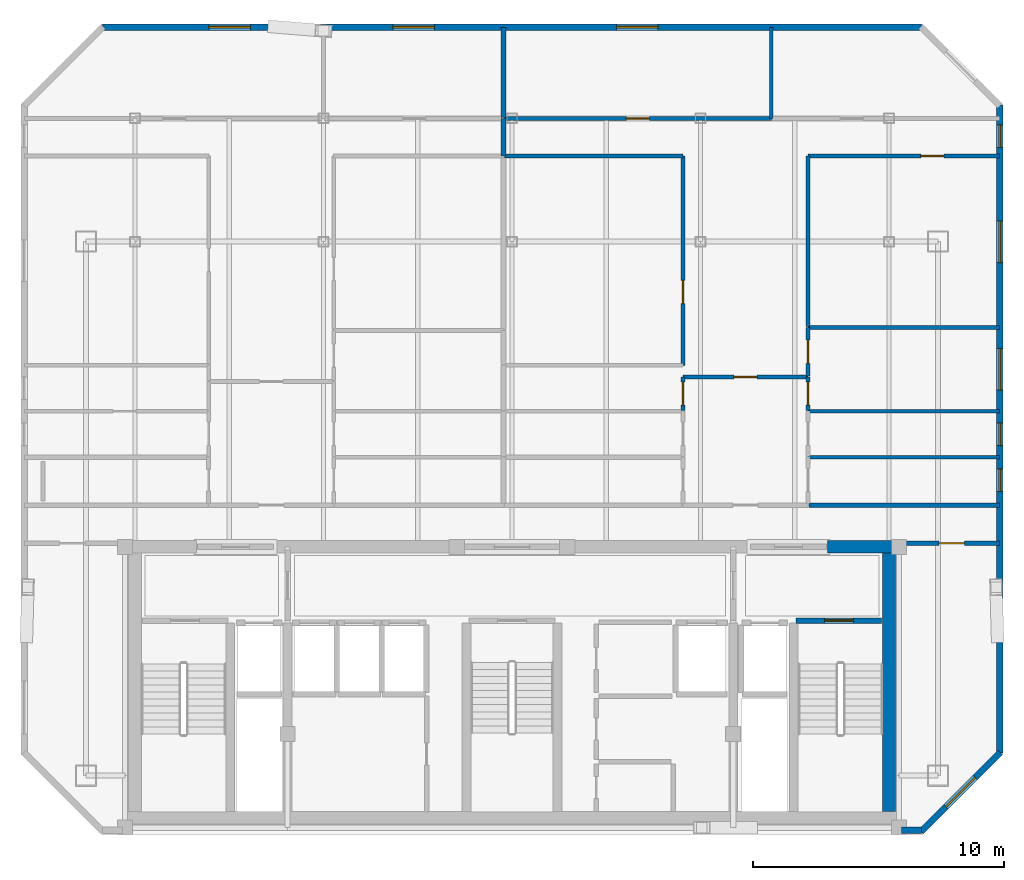
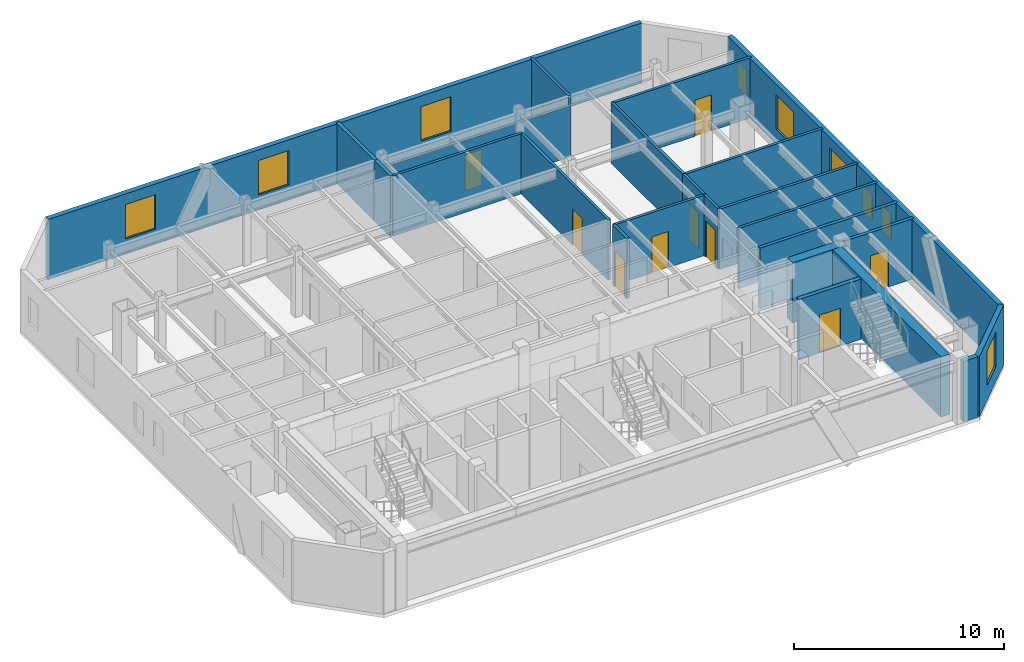
# One storey, part 5 of 7: 24 walls, 9 doors, 9 windows, 18 openings.
"""IFC4 building model written with IfcOpenShell, lengths in metres."""

from ifc_helpers import new_model, si_unit, direction, frame, frame_2d, origin, place, context, subcontext, project, spatial, rectangle, extrude, material, layer, layer_set, type_object, element, fill, save


model = new_model("IFC4")

# Units and contexts
model_context = context("Model", 3, precision=1e-05, world=origin(), true_north=direction((0.0, 1.0)))
body_context = subcontext(model_context, "Body", "Model", "MODEL_VIEW")
ifc_project = project(units=[si_unit("LENGTHUNIT", "METRE"), si_unit("AREAUNIT", "SQUARE_METRE"), si_unit("VOLUMEUNIT", "CUBIC_METRE"), si_unit("PLANEANGLEUNIT", "RADIAN"), si_unit("MASSUNIT", "GRAM", prefix="KILO")], contexts=[model_context])

# Site, building, storey
site_placement = place(None, origin())
site = spatial("IfcSite", under=ifc_project, at=site_placement, CompositionType="ELEMENT")
building_placement = place(site_placement, origin())
building = spatial("IfcBuilding", under=site, at=building_placement, Name="Ventersveld Concourse Tower", CompositionType="ELEMENT")
storey_placement = place(building_placement, frame((0.0, 0.0, 328.449951171875)))
storey = spatial("IfcBuildingStorey", under=building, at=storey_placement, Name="L81", CompositionType="ELEMENT", Elevation=328.449951171875)

# Walls
ifc_material_1 = material(Name="Concrete C50/60", Category="concrete")
ifc_layer_1 = layer(ifc_material_1, 0.5)
ifc_layer_set_1 = layer_set([ifc_layer_1], Name="Concrete C50/60")
wall_type_1 = type_object("IfcWallType", Name="WL-CORE-500", PredefinedType="SHEAR", material=ifc_layer_set_1)
wall_1_placement = place(storey_placement, frame((43.75, 0.919921875, 0.0), z_axis=(0.0, 0.0, 1.0), x_axis=(0.0, 1.0, 0.0)))
element("IfcWall", 1, at=wall_1_placement, inside=storey, type_object=wall_type_1, Name="L81 Rear Core East Shear Wall", PredefinedType="SHEAR", context=body_context, shape_type="SweptSolid", body=[
    extrude(rectangle(XDim=10.530029296875, YDim=0.5, at=frame_2d((5.26513671875, 0.0))), origin(), (0.0, 0.0, 1.0), 3.5),
])
wall_2_placement = place(storey_placement, frame((41.300048828125, 11.449951171875, 0.0), z_axis=(0.0, 0.0, 1.0), x_axis=(1.0, 0.0, 0.0)))
element("IfcWall", 2, at=wall_2_placement, inside=storey, type_object=wall_type_1, Name="L81 Rear Core North Shear Wall NE", PredefinedType="SHEAR", context=body_context, shape_type="SweptSolid", body=[
    extrude(rectangle(XDim=2.949951171875, YDim=0.5, at=frame_2d((1.47509765625, 0.0))), origin(), (0.0, 0.0, 1.0), 3.5),
])

# Wall, opening, door
ifc_material_2 = material(Name="Fire-rated autoclaved aerated masonry blockwork", Category="masonry")
ifc_layer_2 = layer(ifc_material_2, 0.179931640625)
ifc_layer_set_2 = layer_set([ifc_layer_2], Name="Fire-rated autoclaved aerated masonry blockwork")
wall_type_2 = type_object("IfcWallType", Name="WL-CORR-180", PredefinedType="PARTITIONING", material=ifc_layer_set_2)
wall_3_placement = place(storey_placement, frame((44.35498046875, 11.60009765625, 0.0), z_axis=(0.0, 0.0, 1.0), x_axis=(1.0, 0.0, 0.0)))
wall_3 = element("IfcWall", 3, at=wall_3_placement, inside=storey, type_object=wall_type_2, Name="L81 Interior Partition SP-L81-SE-OFF-SP-L81-COR", PredefinedType="PARTITIONING", context=body_context, shape_type="SweptSolid", body=[
    extrude(rectangle(XDim=3.789306640625, YDim=0.179931640625, at=frame_2d((1.89453125, 0.0))), origin(), (0.0, 0.0, 1.0), 3.5),
])
opening_1_placement = place(wall_3_placement, frame((1.394775390625, 0.0, 0.0)))
opening_1 = element("IfcOpeningElement", 4, at=opening_1_placement, cuts=wall_3, Name="Opening FD3", PredefinedType="OPENING", context=body_context, shape_type="SweptSolid", body=[
    extrude(rectangle(XDim=1.0, YDim=2.14990234375, at=frame_2d((0.5, 1.074951171875))), frame((0.0, 0.10009765625, 0.0), z_axis=(0.0, -1.0, 0.0), x_axis=(1.0, 0.0, 0.0)), (0.0, 0.0, 1.0), 0.199951171875),
])
ifc_material_3 = material(Name="Solid-core hardwood veneer timber", Category="wood")
door_type_1 = type_object("IfcDoorType", Name="DR-FLAT-100", OperationType="NOTDEFINED", PredefinedType="DOOR", material=ifc_material_3)
door_1_placement = place(opening_1_placement, origin())
door_1 = element("IfcDoor", 5, at=door_1_placement, inside=storey, type_object=door_type_1, Name="L81 Interior Door SP-L81-SE-OFF to SP-L81-COR (D-L81-3679)", OperationType="SINGLE_SWING_LEFT", OverallHeight=2.14990234375, OverallWidth=1.0, PredefinedType="DOOR", context=body_context, shape_type="SweptSolid", body=[
    extrude(rectangle(XDim=1.0, YDim=2.14990234375, at=frame_2d((0.5, 1.074951171875))), frame((0.0, 0.02490234375, 0.0), z_axis=(0.0, -1.0, 0.0), x_axis=(1.0, 0.0, 0.0)), (0.0, 0.0, 1.0), 0.050048828125),
])
fill(opening_1, door_1)

# Walls
wall_4_placement = place(storey_placement, frame((40.565185546875, 13.114990234375, 0.0), z_axis=(0.0, 0.0, 1.0), x_axis=(1.0, 0.0, 0.0)))
element("IfcWall", 6, at=wall_4_placement, inside=storey, type_object=wall_type_2, Name="L81 Interior Partition SP-L81-COR-SP-L81-81N2-KIT", PredefinedType="PARTITIONING", context=body_context, shape_type="SweptSolid", body=[
    extrude(rectangle(XDim=7.5791015625, YDim=0.179931640625, at=frame_2d((3.78955078125, 0.0))), origin(), (0.0, 0.0, 1.0), 3.5),
])
ifc_layer_3 = layer(ifc_material_2, 0.199951171875)
ifc_layer_set_3 = layer_set([ifc_layer_3], Name="Fire-rated autoclaved aerated masonry blockwork")
wall_type_3 = type_object("IfcWallType", Name="WL-DEMISE-200", PredefinedType="PARTITIONING", material=ifc_layer_set_3)
wall_5_placement = place(storey_placement, frame((28.419189453125, 26.9951171875, 0.0), z_axis=(0.0, 0.0, 1.0), x_axis=(0.0, 1.0, 0.0)))
element("IfcWall", 7, at=wall_5_placement, inside=storey, type_object=wall_type_3, Name="L81 Interior Partition SP-L81-81N1-LIV-SP-L81-81N2-LIV", PredefinedType="PARTITIONING", context=body_context, shape_type="SweptSolid", body=[
    extrude(rectangle(XDim=1.509765625, YDim=0.199951171875, at=frame_2d((0.7548828125, 0.0))), origin(), (0.0, 0.0, 1.0), 3.5),
])
wall_6_placement = place(storey_placement, frame((28.419189453125, 28.534912109375, 0.0), z_axis=(0.0, 0.0, 1.0), x_axis=(0.0, 1.0, 0.0)))
element("IfcWall", 8, at=wall_6_placement, inside=storey, type_object=wall_type_3, Name="L81 Interior Partition SP-L81-81N1-BR2-SP-L81-81N2-BR1", PredefinedType="PARTITIONING", context=body_context, shape_type="SweptSolid", body=[
    extrude(rectangle(XDim=3.58056640625, YDim=0.199951171875, at=frame_2d((1.790283203125, 0.0))), origin(), (0.0, 0.0, 1.0), 3.5),
])

# Wall, opening, door
ifc_layer_4 = layer(ifc_material_2, 0.219970703125)
ifc_layer_set_4 = layer_set([ifc_layer_4], Name="Fire-rated autoclaved aerated masonry blockwork")
wall_type_4 = type_object("IfcWallType", Name="WL-HOIST-220", PredefinedType="SOLIDWALL", material=ifc_layer_set_4)
wall_7_placement = place(storey_placement, frame((40.06005859375, 8.52001953125, 0.0), z_axis=(0.0, 0.0, 1.0), x_axis=(1.0, 0.0, 0.0)))
wall_7 = element("IfcWall", 9, at=wall_7_placement, inside=storey, type_object=wall_type_4, Name="L81 Escape Stair ST02 Fire Wall", PredefinedType="SOLIDWALL", context=body_context, shape_type="SweptSolid", body=[
    extrude(rectangle(XDim=3.39990234375, YDim=0.219970703125, at=frame_2d((1.699951171875, 0.0))), origin(), (0.0, 0.0, 1.0), 3.5),
])
opening_2_placement = place(wall_7_placement, frame((1.125, 0.0, 0.0)))
opening_2 = element("IfcOpeningElement", 10, at=opening_2_placement, cuts=wall_7, Name="Opening FD1", PredefinedType="OPENING", context=body_context, shape_type="SweptSolid", body=[
    extrude(rectangle(XDim=1.14990234375, YDim=2.199951171875, at=frame_2d((0.574951171875, 1.10009765625))), frame((0.0, 0.1201171875, 0.0), z_axis=(0.0, -1.0, 0.0), x_axis=(1.0, 0.0, 0.0)), (0.0, 0.0, 1.0), 0.239990234375),
])
ifc_material_4 = material(Name="Galvanised painted steel", Category="steel")
door_type_2 = type_object("IfcDoorType", Name="DR-STAIR-115", OperationType="NOTDEFINED", PredefinedType="DOOR", material=ifc_material_4)
door_2_placement = place(opening_2_placement, origin())
door_2 = element("IfcDoor", 11, at=door_2_placement, inside=storey, type_object=door_type_2, Name="L81 Escape Stair Door ST02 (SD-L81-3667)", OperationType="SINGLE_SWING_RIGHT", OverallHeight=2.199951171875, OverallWidth=1.14990234375, PredefinedType="DOOR", context=body_context, shape_type="SweptSolid", body=[
    extrude(rectangle(XDim=1.14990234375, YDim=2.199951171875, at=frame_2d((0.574951171875, 1.10009765625))), frame((0.0, 0.02490234375, 0.0), z_axis=(0.0, -1.0, 0.0), x_axis=(1.0, 0.0, 0.0)), (0.0, 0.0, 1.0), 0.050048828125),
])
fill(opening_2, door_2)

ifc_material_5 = material(Name="Autoclaved aerated masonry blockwork", Category="masonry")
ifc_layer_5 = layer(ifc_material_5, 0.14990234375)
ifc_layer_set_5 = layer_set([ifc_layer_5], Name="Autoclaved aerated masonry blockwork")
wall_type_5 = type_object("IfcWallType", Name="WL-INT-150", PredefinedType="PARTITIONING", material=ifc_layer_set_5)
wall_8_placement = place(storey_placement, frame((35.545166015625, 18.212158203125, 0.0), z_axis=(0.0, 0.0, 1.0), x_axis=(1.0, 0.0, 0.0)))
wall_8 = element("IfcWall", 12, at=wall_8_placement, inside=storey, type_object=wall_type_5, Name="L81 Interior Partition SP-L81-81N2-FOY-SP-L81-81N2-LIV", PredefinedType="PARTITIONING", context=body_context, shape_type="SweptSolid", body=[
    extrude(rectangle(XDim=4.989990234375, YDim=0.14990234375, at=frame_2d((2.4951171875, 0.0))), origin(), (0.0, 0.0, 1.0), 3.5),
])
opening_3_placement = place(wall_8_placement, frame((2.034912109375, 0.0, 0.0)))
opening_3 = element("IfcOpeningElement", 13, at=opening_3_placement, cuts=wall_8, Name="Opening ID1", PredefinedType="OPENING", context=body_context, shape_type="SweptSolid", body=[
    extrude(rectangle(XDim=0.919921875, YDim=2.10009765625, at=frame_2d((0.4599609375, 1.050048828125))), frame((0.0, 0.0849609375, 0.0), z_axis=(0.0, -1.0, 0.0), x_axis=(1.0, 0.0, 0.0)), (0.0, 0.0, 1.0), 0.169921875),
])
door_type_3 = type_object("IfcDoorType", Name="DR-ROOM-092", OperationType="NOTDEFINED", PredefinedType="DOOR", material=ifc_material_3)
door_3_placement = place(opening_3_placement, origin())
door_3 = element("IfcDoor", 14, at=door_3_placement, inside=storey, type_object=door_type_3, Name="L81 Interior Door SP-L81-81N2-FOY to SP-L81-81N2-LIV (D-L81-3692)", OperationType="SINGLE_SWING_RIGHT", OverallHeight=2.10009765625, OverallWidth=0.919921875, PredefinedType="DOOR", context=body_context, shape_type="SweptSolid", body=[
    extrude(rectangle(XDim=0.919921875, YDim=2.10009765625, at=frame_2d((0.4599609375, 1.050048828125))), frame((0.0, 0.02490234375, 0.0), z_axis=(0.0, -1.0, 0.0), x_axis=(1.0, 0.0, 0.0)), (0.0, 0.0, 1.0), 0.050048828125),
])
fill(opening_3, door_3)

wall_9_placement = place(storey_placement, frame((35.550048828125, 16.885009765625, 0.0), z_axis=(0.0, 0.0, 1.0), x_axis=(0.0, 1.0, 0.0)))
wall_9 = element("IfcWall", 15, at=wall_9_placement, inside=storey, type_object=wall_type_5, Name="L81 Interior Partition SP-L81-81N2-FOY-SP-L81-81N2-PANL2", PredefinedType="PARTITIONING", context=body_context, shape_type="SweptSolid", body=[
    extrude(rectangle(XDim=1.33203125, YDim=0.14990234375, at=frame_2d((0.666015625, 0.0))), origin(), (0.0, 0.0, 1.0), 3.5),
])
opening_4_placement = place(wall_9_placement, frame((0.2060546875, 0.0, 0.0)))
opening_4 = element("IfcOpeningElement", 16, at=opening_4_placement, cuts=wall_9, Name="Opening ID1", PredefinedType="OPENING", context=body_context, shape_type="SweptSolid", body=[
    extrude(rectangle(XDim=0.919921875, YDim=2.10009765625, at=frame_2d((0.4599609375, 1.050048828125))), frame((0.0, 0.0849609375, 0.0), z_axis=(0.0, -1.0, 0.0), x_axis=(1.0, 0.0, 0.0)), (0.0, 0.0, 1.0), 0.169921875),
])
door_4_placement = place(opening_4_placement, origin())
door_4 = element("IfcDoor", 17, at=door_4_placement, inside=storey, type_object=door_type_3, Name="L81 Interior Door SP-L81-81N2-FOY to SP-L81-81N2-PANL2 (D-L81-3695)", OperationType="SINGLE_SWING_LEFT", OverallHeight=2.10009765625, OverallWidth=0.919921875, PredefinedType="DOOR", context=body_context, shape_type="SweptSolid", body=[
    extrude(rectangle(XDim=0.919921875, YDim=2.10009765625, at=frame_2d((0.4599609375, 1.050048828125))), frame((0.0, 0.02490234375, 0.0), z_axis=(0.0, -1.0, 0.0), x_axis=(1.0, 0.0, 0.0)), (0.0, 0.0, 1.0), 0.050048828125),
])
fill(opening_4, door_4)

wall_10_placement = place(storey_placement, frame((40.530029296875, 16.885009765625, 0.0), z_axis=(0.0, 0.0, 1.0), x_axis=(0.0, 1.0, 0.0)))
wall_10 = element("IfcWall", 18, at=wall_10_placement, inside=storey, type_object=wall_type_5, Name="L81 Interior Partition SP-L81-81N2-FOY-SP-L81-81N2-MEDR3", PredefinedType="PARTITIONING", context=body_context, shape_type="SweptSolid", body=[
    extrude(rectangle(XDim=1.33203125, YDim=0.14990234375, at=frame_2d((0.666015625, 0.0))), origin(), (0.0, 0.0, 1.0), 3.5),
])
opening_5_placement = place(wall_10_placement, frame((0.2060546875, 0.0, 0.0)))
opening_5 = element("IfcOpeningElement", 19, at=opening_5_placement, cuts=wall_10, Name="Opening ID1", PredefinedType="OPENING", context=body_context, shape_type="SweptSolid", body=[
    extrude(rectangle(XDim=0.919921875, YDim=2.10009765625, at=frame_2d((0.4599609375, 1.050048828125))), frame((0.0, 0.0849609375, 0.0), z_axis=(0.0, -1.0, 0.0), x_axis=(1.0, 0.0, 0.0)), (0.0, 0.0, 1.0), 0.169921875),
])
door_5_placement = place(opening_5_placement, origin())
door_5 = element("IfcDoor", 20, at=door_5_placement, inside=storey, type_object=door_type_3, Name="L81 Interior Door SP-L81-81N2-FOY to SP-L81-81N2-MEDR3 (D-L81-3698)", OperationType="SINGLE_SWING_RIGHT", OverallHeight=2.10009765625, OverallWidth=0.919921875, PredefinedType="DOOR", context=body_context, shape_type="SweptSolid", body=[
    extrude(rectangle(XDim=0.919921875, YDim=2.10009765625, at=frame_2d((0.4599609375, 1.050048828125))), frame((0.0, 0.02490234375, 0.0), z_axis=(0.0, -1.0, 0.0), x_axis=(1.0, 0.0, 0.0)), (0.0, 0.0, 1.0), 0.050048828125),
])
fill(opening_5, door_5)

wall_11_placement = place(storey_placement, frame((35.550048828125, 18.675048828125, 0.0), z_axis=(0.0, 0.0, 1.0), x_axis=(0.0, 1.0, 0.0)))
wall_11 = element("IfcWall", 21, at=wall_11_placement, inside=storey, type_object=wall_type_5, Name="L81 Interior Partition SP-L81-81N2-LIV-SP-L81-81N2-DENL", PredefinedType="PARTITIONING", context=body_context, shape_type="SweptSolid", body=[
    extrude(rectangle(XDim=8.329833984375, YDim=0.14990234375, at=frame_2d((4.1650390625, 0.0))), origin(), (0.0, 0.0, 1.0), 3.5),
])
opening_6_placement = place(wall_11_placement, frame((2.45556640625, 0.0, 0.0)))
opening_6 = element("IfcOpeningElement", 22, at=opening_6_placement, cuts=wall_11, Name="Opening ID1", PredefinedType="OPENING", context=body_context, shape_type="SweptSolid", body=[
    extrude(rectangle(XDim=0.919921875, YDim=2.10009765625, at=frame_2d((0.4599609375, 1.050048828125))), frame((0.0, 0.0849609375, 0.0), z_axis=(0.0, -1.0, 0.0), x_axis=(1.0, 0.0, 0.0)), (0.0, 0.0, 1.0), 0.169921875),
])
door_6_placement = place(opening_6_placement, origin())
door_6 = element("IfcDoor", 23, at=door_6_placement, inside=storey, type_object=door_type_3, Name="L81 Interior Door SP-L81-81N2-LIV to SP-L81-81N2-DENL (D-L81-3699)", OperationType="SINGLE_SWING_LEFT", OverallHeight=2.10009765625, OverallWidth=0.919921875, PredefinedType="DOOR", context=body_context, shape_type="SweptSolid", body=[
    extrude(rectangle(XDim=0.919921875, YDim=2.10009765625, at=frame_2d((0.4599609375, 1.050048828125))), frame((0.0, 0.02490234375, 0.0), z_axis=(0.0, -1.0, 0.0), x_axis=(1.0, 0.0, 0.0)), (0.0, 0.0, 1.0), 0.050048828125),
])
fill(opening_6, door_6)

# Wall
wall_12_placement = place(storey_placement, frame((28.4541015625, 27.0, 0.0), z_axis=(0.0, 0.0, 1.0), x_axis=(1.0, 0.0, 0.0)))
element("IfcWall", 24, at=wall_12_placement, inside=storey, type_object=wall_type_5, Name="L81 Interior Partition SP-L81-81N2-LIV-SP-L81-81N2-DENL", PredefinedType="PARTITIONING", context=body_context, shape_type="SweptSolid", body=[
    extrude(rectangle(XDim=7.10107421875, YDim=0.14990234375, at=frame_2d((3.550537109375, 0.0))), origin(), (0.0, 0.0, 1.0), 3.5),
])

# Wall, opening, door
wall_13_placement = place(storey_placement, frame((40.530029296875, 18.2470703125, 0.0), z_axis=(0.0, 0.0, 1.0), x_axis=(0.0, 1.0, 0.0)))
wall_13 = element("IfcWall", 25, at=wall_13_placement, inside=storey, type_object=wall_type_5, Name="L81 Interior Partition SP-L81-81N2-LIV-SP-L81-81N2-MEDR3", PredefinedType="PARTITIONING", context=body_context, shape_type="SweptSolid", body=[
    extrude(rectangle(XDim=1.9375, YDim=0.14990234375, at=frame_2d((0.96875, 0.0))), origin(), (0.0, 0.0, 1.0), 3.5),
])
opening_7_placement = place(wall_13_placement, frame((0.5087890625, 0.0, 0.0)))
opening_7 = element("IfcOpeningElement", 26, at=opening_7_placement, cuts=wall_13, Name="Opening ID1", PredefinedType="OPENING", context=body_context, shape_type="SweptSolid", body=[
    extrude(rectangle(XDim=0.919921875, YDim=2.10009765625, at=frame_2d((0.4599609375, 1.050048828125))), frame((0.0, 0.0849609375, 0.0), z_axis=(0.0, -1.0, 0.0), x_axis=(1.0, 0.0, 0.0)), (0.0, 0.0, 1.0), 0.169921875),
])
door_7_placement = place(opening_7_placement, origin())
door_7 = element("IfcDoor", 27, at=door_7_placement, inside=storey, type_object=door_type_3, Name="L81 Interior Door SP-L81-81N2-LIV to SP-L81-81N2-MEDR3 (D-L81-3700)", OperationType="SINGLE_SWING_RIGHT", OverallHeight=2.10009765625, OverallWidth=0.919921875, PredefinedType="DOOR", context=body_context, shape_type="SweptSolid", body=[
    extrude(rectangle(XDim=0.919921875, YDim=2.10009765625, at=frame_2d((0.4599609375, 1.050048828125))), frame((0.0, 0.02490234375, 0.0), z_axis=(0.0, -1.0, 0.0), x_axis=(1.0, 0.0, 0.0)), (0.0, 0.0, 1.0), 0.050048828125),
])
fill(opening_7, door_7)

wall_14_placement = place(storey_placement, frame((40.525146484375, 27.0, 0.0), z_axis=(0.0, 0.0, 1.0), x_axis=(1.0, 0.0, 0.0)))
wall_14 = element("IfcWall", 28, at=wall_14_placement, inside=storey, type_object=wall_type_5, Name="L81 Interior Partition SP-L81-81N2-LIV-SP-L81-81N2-DENS2", PredefinedType="PARTITIONING", context=body_context, shape_type="SweptSolid", body=[
    extrude(rectangle(XDim=7.619140625, YDim=0.14990234375, at=frame_2d((3.8095703125, 0.0))), origin(), (0.0, 0.0, 1.0), 3.5),
])
opening_8_placement = place(wall_14_placement, frame((4.492431640625, 0.0, 0.0)))
opening_8 = element("IfcOpeningElement", 29, at=opening_8_placement, cuts=wall_14, Name="Opening ID1", PredefinedType="OPENING", context=body_context, shape_type="SweptSolid", body=[
    extrude(rectangle(XDim=0.919921875, YDim=2.10009765625, at=frame_2d((0.4599609375, 1.050048828125))), frame((0.0, 0.0849609375, 0.0), z_axis=(0.0, -1.0, 0.0), x_axis=(1.0, 0.0, 0.0)), (0.0, 0.0, 1.0), 0.169921875),
])
door_8_placement = place(opening_8_placement, origin())
door_8 = element("IfcDoor", 30, at=door_8_placement, inside=storey, type_object=door_type_3, Name="L81 Interior Door SP-L81-81N2-LIV to SP-L81-81N2-DENS2 (D-L81-3701)", OperationType="SINGLE_SWING_LEFT", OverallHeight=2.10009765625, OverallWidth=0.919921875, PredefinedType="DOOR", context=body_context, shape_type="SweptSolid", body=[
    extrude(rectangle(XDim=0.919921875, YDim=2.10009765625, at=frame_2d((0.4599609375, 1.050048828125))), frame((0.0, 0.02490234375, 0.0), z_axis=(0.0, -1.0, 0.0), x_axis=(1.0, 0.0, 0.0)), (0.0, 0.0, 1.0), 0.050048828125),
])
fill(opening_8, door_8)

# Wall
wall_15_placement = place(storey_placement, frame((40.530029296875, 20.214599609375, 0.0), z_axis=(0.0, 0.0, 1.0), x_axis=(0.0, 1.0, 0.0)))
element("IfcWall", 31, at=wall_15_placement, inside=storey, type_object=wall_type_5, Name="L81 Interior Partition SP-L81-81N2-LIV-SP-L81-81N2-DENS2", PredefinedType="PARTITIONING", context=body_context, shape_type="SweptSolid", body=[
    extrude(rectangle(XDim=6.790283203125, YDim=0.14990234375, at=frame_2d((3.39501953125, 0.0))), origin(), (0.0, 0.0, 1.0), 3.5),
])

# Wall, opening, door
wall_16_placement = place(storey_placement, frame((28.4541015625, 28.5, 0.0), z_axis=(0.0, 0.0, 1.0), x_axis=(1.0, 0.0, 0.0)))
wall_16 = element("IfcWall", 32, at=wall_16_placement, inside=storey, type_object=wall_type_5, Name="L81 Interior Partition SP-L81-81N2-LIV-SP-L81-81N2-BR1", PredefinedType="PARTITIONING", context=body_context, shape_type="SweptSolid", body=[
    extrude(rectangle(XDim=10.61376953125, YDim=0.14990234375, at=frame_2d((5.306884765625, 0.0))), origin(), (0.0, 0.0, 1.0), 2.967041015625),
])
opening_9_placement = place(wall_16_placement, frame((4.846923828125, 0.0, 0.0)))
opening_9 = element("IfcOpeningElement", 33, at=opening_9_placement, cuts=wall_16, Name="Opening ID1", PredefinedType="OPENING", context=body_context, shape_type="SweptSolid", body=[
    extrude(rectangle(XDim=0.919921875, YDim=2.10009765625, at=frame_2d((0.4599609375, 1.050048828125))), frame((0.0, 0.0849609375, 0.0), z_axis=(0.0, -1.0, 0.0), x_axis=(1.0, 0.0, 0.0)), (0.0, 0.0, 1.0), 0.169921875),
])
door_9_placement = place(opening_9_placement, origin())
door_9 = element("IfcDoor", 34, at=door_9_placement, inside=storey, type_object=door_type_3, Name="L81 Interior Door SP-L81-81N2-LIV to SP-L81-81N2-BR1 (D-L81-3702)", OperationType="SINGLE_SWING_RIGHT", OverallHeight=2.10009765625, OverallWidth=0.919921875, PredefinedType="DOOR", context=body_context, shape_type="SweptSolid", body=[
    extrude(rectangle(XDim=0.919921875, YDim=2.10009765625, at=frame_2d((0.4599609375, 1.050048828125))), frame((0.0, 0.02490234375, 0.0), z_axis=(0.0, -1.0, 0.0), x_axis=(1.0, 0.0, 0.0)), (0.0, 0.0, 1.0), 0.050048828125),
])
fill(opening_9, door_9)

# Walls
for number, where, z_axis, x_axis, name in (
    (35, (40.525146484375, 15.02001953125, 0.0), (0.0, 0.0, 1.0), (1.0, 0.0, 0.0), "L81 Interior Partition SP-L81-81N2-KIT-SP-L81-81N2-PANR1"),
    (36, (40.525146484375, 16.85009765625, 0.0), (0.0, 0.0, 1.0), (1.0, 0.0, 0.0), "L81 Interior Partition SP-L81-81N2-PANR1-SP-L81-81N2-MEDR3"),
    (37, (40.525146484375, 20.179443359375, 0.0), (0.0, 0.0, 1.0), (1.0, 0.0, 0.0), "L81 Interior Partition SP-L81-81N2-MEDR3-SP-L81-81N2-DENS2"),
):
    element("IfcWall", number, at=place(storey_placement, frame(where, z_axis=z_axis, x_axis=x_axis)), inside=storey, type_object=wall_type_5, Name=name, PredefinedType="PARTITIONING", context=body_context, shape_type="SweptSolid", body=[
        extrude(rectangle(XDim=7.619140625, YDim=0.14990234375, at=frame_2d((3.8095703125, 0.0))), origin(), (0.0, 0.0, 1.0), 3.5),
    ])
wall_17_placement = place(storey_placement, frame((39.06298828125, 28.4951171875, 0.0), z_axis=(0.0, 0.0, 1.0), x_axis=(0.0, 1.0, 0.0)))
element("IfcWall", 38, at=wall_17_placement, inside=storey, type_object=wall_type_5, Name="L81 Interior Partition SP-L81-81N2-BR1-SP-L81-81N2-BR2", PredefinedType="PARTITIONING", context=body_context, shape_type="SweptSolid", body=[
    extrude(rectangle(XDim=3.620361328125, YDim=0.14990234375, at=frame_2d((1.81005859375, 0.0))), origin(), (0.0, 0.0, 1.0), 3.5),
])
ifc_material_6 = material(Name="Precast concrete C45/55", Category="concrete")
ifc_layer_6 = layer(ifc_material_6, 0.260009765625)
ifc_layer_set_6 = layer_set([ifc_layer_6], Name="Precast concrete C45/55")
wall_type_6 = type_object("IfcWallType", Name="WL-PREC-260", PredefinedType="SOLIDWALL", material=ifc_layer_set_6)
wall_18_placement = place(storey_placement, frame((44.25, 0.179931640625, 0.0), z_axis=(0.0, 0.0, 1.0), x_axis=(1.0, 0.0, 0.0)))
element("IfcWall", 39, at=wall_18_placement, inside=storey, type_object=wall_type_6, Name="L81 South-East Flank Precast Wall", PredefinedType="SOLIDWALL", context=body_context, shape_type="SweptSolid", body=[
    extrude(rectangle(XDim=0.8037109375, YDim=0.260009765625, at=frame_2d((0.40185546875, 0.0))), origin(), (0.0, 0.0, 1.0), 3.5),
])

# Wall, opening, window
wall_19_placement = place(storey_placement, frame((45.0302734375, 0.1201171875, 0.0), z_axis=(0.0, 0.0, 1.0), x_axis=(0.707079321262, 0.707134240044, 0.0)))
wall_19 = element("IfcWall", 40, at=wall_19_placement, inside=storey, type_object=wall_type_6, Name="L81 Highveld Precast Facade Wall E02", PredefinedType="SOLIDWALL", context=body_context, shape_type="SweptSolid", body=[
    extrude(rectangle(XDim=4.445556640625, YDim=0.260009765625, at=frame_2d((2.22265625, 0.0))), origin(), (0.0, 0.0, 1.0), 3.5),
])
opening_10_placement = place(wall_19_placement, frame((1.397705078125, 0.0, 0.8798828125)))
opening_10 = element("IfcOpeningElement", 41, at=opening_10_placement, cuts=wall_19, Name="Opening W6", PredefinedType="OPENING", context=body_context, shape_type="SweptSolid", body=[
    extrude(rectangle(XDim=1.64990234375, YDim=2.0, at=frame_2d((0.824951171875, 1.0))), frame((0.0, 0.14013671875, 0.0), z_axis=(0.0, -1.0, 0.0), x_axis=(1.0, 0.0, 0.0)), (0.0, 0.0, 1.0), 0.280029296875),
])
ifc_material_7 = material(Name="Tempered acoustic Low-E IGU", Category="glass")
window_type_1 = type_object("IfcWindowType", Name="WIN-165x200", PartitioningType="SINGLE_PANEL", PredefinedType="WINDOW", material=ifc_material_7)
window_1_placement = place(opening_10_placement, origin())
window_1 = element("IfcWindow", 42, at=window_1_placement, inside=storey, type_object=window_type_1, Name="L81 Punched Low-E Window W-1144", OverallHeight=2.0, OverallWidth=1.64990234375, PartitioningType="SINGLE_PANEL", PredefinedType="WINDOW", context=body_context, shape_type="SweptSolid", body=[
    extrude(rectangle(XDim=1.64990234375, YDim=2.0, at=frame_2d((0.824951171875, 1.0))), frame((0.0, 0.030029296875, 0.0), z_axis=(0.0, -1.0, 0.0), x_axis=(1.0, 0.0, 0.0)), (0.0, 0.0, 1.0), 0.06005859375),
])
fill(opening_10, window_1)

# Wall, openings, windows
wall_20_placement = place(storey_placement, frame((48.163818359375, 3.239990234375, 0.0), z_axis=(0.0, 0.0, 1.0), x_axis=(0.0, 1.0, 0.0)))
wall_20 = element("IfcWall", 43, at=wall_20_placement, inside=storey, type_object=wall_type_6, Name="L81 Highveld Precast Facade Wall E03", PredefinedType="SOLIDWALL", context=body_context, shape_type="SweptSolid", body=[
    extrude(rectangle(XDim=25.784912109375, YDim=0.260009765625, at=frame_2d((12.892578125, 0.0))), origin(), (0.0, 0.0, 1.0), 3.5),
])
opening_11_placement = place(wall_20_placement, frame((24.10498046875, 0.0, 0.949951171875)))
opening_11 = element("IfcOpeningElement", 44, at=opening_11_placement, cuts=wall_20, Name="Opening W4", PredefinedType="OPENING", context=body_context, shape_type="SweptSolid", body=[
    extrude(rectangle(XDim=0.89990234375, YDim=1.5, at=frame_2d((0.449951171875, 0.75))), frame((0.0, 0.14013671875, 0.0), z_axis=(0.0, -1.0, 0.0), x_axis=(1.0, 0.0, 0.0)), (0.0, 0.0, 1.0), 0.280029296875),
])
opening_12_placement = place(wall_20_placement, frame((10.4150390625, 0.0, 0.949951171875)))
opening_12 = element("IfcOpeningElement", 45, at=opening_12_placement, cuts=wall_20, Name="Opening W4", PredefinedType="OPENING", context=body_context, shape_type="SweptSolid", body=[
    extrude(rectangle(XDim=0.89990234375, YDim=1.5, at=frame_2d((0.449951171875, 0.75))), frame((0.0, 0.14013671875, 0.0), z_axis=(0.0, -1.0, 0.0), x_axis=(1.0, 0.0, 0.0)), (0.0, 0.0, 1.0), 0.280029296875),
])
opening_13_placement = place(wall_20_placement, frame((12.2451171875, 0.0, 0.949951171875)))
opening_13 = element("IfcOpeningElement", 46, at=opening_13_placement, cuts=wall_20, Name="Opening W4", PredefinedType="OPENING", context=body_context, shape_type="SweptSolid", body=[
    extrude(rectangle(XDim=0.89990234375, YDim=1.5, at=frame_2d((0.449951171875, 0.75))), frame((0.0, 0.14013671875, 0.0), z_axis=(0.0, -1.0, 0.0), x_axis=(1.0, 0.0, 0.0)), (0.0, 0.0, 1.0), 0.280029296875),
])
opening_14_placement = place(wall_20_placement, frame((14.44970703125, 0.0, 0.8798828125)))
opening_14 = element("IfcOpeningElement", 47, at=opening_14_placement, cuts=wall_20, Name="Opening W6", PredefinedType="OPENING", context=body_context, shape_type="SweptSolid", body=[
    extrude(rectangle(XDim=1.64990234375, YDim=2.0, at=frame_2d((0.824951171875, 1.0))), frame((0.0, 0.14013671875, 0.0), z_axis=(0.0, -1.0, 0.0), x_axis=(1.0, 0.0, 0.0)), (0.0, 0.0, 1.0), 0.280029296875),
])
opening_15_placement = place(wall_20_placement, frame((19.52490234375, 0.0, 0.8798828125)))
opening_15 = element("IfcOpeningElement", 48, at=opening_15_placement, cuts=wall_20, Name="Opening W6", PredefinedType="OPENING", context=body_context, shape_type="SweptSolid", body=[
    extrude(rectangle(XDim=1.64990234375, YDim=2.0, at=frame_2d((0.824951171875, 1.0))), frame((0.0, 0.14013671875, 0.0), z_axis=(0.0, -1.0, 0.0), x_axis=(1.0, 0.0, 0.0)), (0.0, 0.0, 1.0), 0.280029296875),
])
window_type_2 = type_object("IfcWindowType", Name="WIN-090x150", PartitioningType="SINGLE_PANEL", PredefinedType="WINDOW", material=ifc_material_7)
window_2_placement = place(opening_11_placement, origin())
window_2 = element("IfcWindow", 49, at=window_2_placement, inside=storey, type_object=window_type_2, Name="L81 Punched Low-E Window W-1151", OverallHeight=1.5, OverallWidth=0.89990234375, PartitioningType="SINGLE_PANEL", PredefinedType="WINDOW", context=body_context, shape_type="SweptSolid", body=[
    extrude(rectangle(XDim=0.89990234375, YDim=1.5, at=frame_2d((0.449951171875, 0.75))), frame((0.0, 0.030029296875, 0.0), z_axis=(0.0, -1.0, 0.0), x_axis=(1.0, 0.0, 0.0)), (0.0, 0.0, 1.0), 0.06005859375),
])
fill(opening_11, window_2)
window_3_placement = place(opening_12_placement, origin())
window_3 = element("IfcWindow", 50, at=window_3_placement, inside=storey, type_object=window_type_2, Name="L81 Punched Low-E Window W-1152", OverallHeight=1.5, OverallWidth=0.89990234375, PartitioningType="SINGLE_PANEL", PredefinedType="WINDOW", context=body_context, shape_type="SweptSolid", body=[
    extrude(rectangle(XDim=0.89990234375, YDim=1.5, at=frame_2d((0.449951171875, 0.75))), frame((0.0, 0.030029296875, 0.0), z_axis=(0.0, -1.0, 0.0), x_axis=(1.0, 0.0, 0.0)), (0.0, 0.0, 1.0), 0.06005859375),
])
fill(opening_12, window_3)
window_4_placement = place(opening_13_placement, origin())
window_4 = element("IfcWindow", 51, at=window_4_placement, inside=storey, type_object=window_type_2, Name="L81 Punched Low-E Window W-1153", OverallHeight=1.5, OverallWidth=0.89990234375, PartitioningType="SINGLE_PANEL", PredefinedType="WINDOW", context=body_context, shape_type="SweptSolid", body=[
    extrude(rectangle(XDim=0.89990234375, YDim=1.5, at=frame_2d((0.449951171875, 0.75))), frame((0.0, 0.030029296875, 0.0), z_axis=(0.0, -1.0, 0.0), x_axis=(1.0, 0.0, 0.0)), (0.0, 0.0, 1.0), 0.06005859375),
])
fill(opening_13, window_4)
window_5_placement = place(opening_14_placement, origin())
window_5 = element("IfcWindow", 52, at=window_5_placement, inside=storey, type_object=window_type_1, Name="L81 Punched Low-E Window W-1154", OverallHeight=2.0, OverallWidth=1.64990234375, PartitioningType="SINGLE_PANEL", PredefinedType="WINDOW", context=body_context, shape_type="SweptSolid", body=[
    extrude(rectangle(XDim=1.64990234375, YDim=2.0, at=frame_2d((0.824951171875, 1.0))), frame((0.0, 0.030029296875, 0.0), z_axis=(0.0, -1.0, 0.0), x_axis=(1.0, 0.0, 0.0)), (0.0, 0.0, 1.0), 0.06005859375),
])
fill(opening_14, window_5)
window_6_placement = place(opening_15_placement, origin())
window_6 = element("IfcWindow", 53, at=window_6_placement, inside=storey, type_object=window_type_1, Name="L81 Punched Low-E Window W-1155", OverallHeight=2.0, OverallWidth=1.64990234375, PartitioningType="SINGLE_PANEL", PredefinedType="WINDOW", context=body_context, shape_type="SweptSolid", body=[
    extrude(rectangle(XDim=1.64990234375, YDim=2.0, at=frame_2d((0.824951171875, 1.0))), frame((0.0, 0.030029296875, 0.0), z_axis=(0.0, -1.0, 0.0), x_axis=(1.0, 0.0, 0.0)), (0.0, 0.0, 1.0), 0.06005859375),
])
fill(opening_15, window_6)

wall_21_placement = place(storey_placement, frame((45.0537109375, 32.135009765625, 0.0), z_axis=(0.0, 0.0, 1.0), x_axis=(-1.0, 0.0, 0.0)))
wall_21 = element("IfcWall", 54, at=wall_21_placement, inside=storey, type_object=wall_type_6, Name="L81 Highveld Precast Facade Wall E05", PredefinedType="SOLIDWALL", context=body_context, shape_type="SweptSolid", body=[
    extrude(rectangle(XDim=32.607421875, YDim=0.260009765625, at=frame_2d((16.3037109375, 0.0))), origin(), (0.0, 0.0, 1.0), 3.5),
])
opening_16_placement = place(wall_21_placement, frame((26.715576171875, 0.0, 0.8798828125)))
opening_16 = element("IfcOpeningElement", 55, at=opening_16_placement, cuts=wall_21, Name="Opening W6", PredefinedType="OPENING", context=body_context, shape_type="SweptSolid", body=[
    extrude(rectangle(XDim=1.64990234375, YDim=2.0, at=frame_2d((0.824951171875, 1.0))), frame((0.0, 0.14013671875, 0.0), z_axis=(0.0, -1.0, 0.0), x_axis=(1.0, 0.0, 0.0)), (0.0, 0.0, 1.0), 0.280029296875),
])
opening_17_placement = place(wall_21_placement, frame((19.394287109375, 0.0, 0.8798828125)))
opening_17 = element("IfcOpeningElement", 56, at=opening_17_placement, cuts=wall_21, Name="Opening W6", PredefinedType="OPENING", context=body_context, shape_type="SweptSolid", body=[
    extrude(rectangle(XDim=1.64990234375, YDim=2.0, at=frame_2d((0.824951171875, 1.0))), frame((0.0, 0.14013671875, 0.0), z_axis=(0.0, -1.0, 0.0), x_axis=(1.0, 0.0, 0.0)), (0.0, 0.0, 1.0), 0.280029296875),
])
opening_18_placement = place(wall_21_placement, frame((10.48779296875, 0.0, 0.8798828125)))
opening_18 = element("IfcOpeningElement", 57, at=opening_18_placement, cuts=wall_21, Name="Opening W6", PredefinedType="OPENING", context=body_context, shape_type="SweptSolid", body=[
    extrude(rectangle(XDim=1.64990234375, YDim=2.0, at=frame_2d((0.824951171875, 1.0))), frame((0.0, 0.14013671875, 0.0), z_axis=(0.0, -1.0, 0.0), x_axis=(1.0, 0.0, 0.0)), (0.0, 0.0, 1.0), 0.280029296875),
])
window_7_placement = place(opening_16_placement, origin())
window_7 = element("IfcWindow", 58, at=window_7_placement, inside=storey, type_object=window_type_1, Name="L81 Punched Low-E Window W-1149", OverallHeight=2.0, OverallWidth=1.64990234375, PartitioningType="SINGLE_PANEL", PredefinedType="WINDOW", context=body_context, shape_type="SweptSolid", body=[
    extrude(rectangle(XDim=1.64990234375, YDim=2.0, at=frame_2d((0.824951171875, 1.0))), frame((0.0, 0.030029296875, 0.0), z_axis=(0.0, -1.0, 0.0), x_axis=(1.0, 0.0, 0.0)), (0.0, 0.0, 1.0), 0.06005859375),
])
fill(opening_16, window_7)
window_8_placement = place(opening_17_placement, origin())
window_8 = element("IfcWindow", 59, at=window_8_placement, inside=storey, type_object=window_type_1, Name="L81 Punched Low-E Window W-1150", OverallHeight=2.0, OverallWidth=1.64990234375, PartitioningType="SINGLE_PANEL", PredefinedType="WINDOW", context=body_context, shape_type="SweptSolid", body=[
    extrude(rectangle(XDim=1.64990234375, YDim=2.0, at=frame_2d((0.824951171875, 1.0))), frame((0.0, 0.030029296875, 0.0), z_axis=(0.0, -1.0, 0.0), x_axis=(1.0, 0.0, 0.0)), (0.0, 0.0, 1.0), 0.06005859375),
])
fill(opening_17, window_8)
window_9_placement = place(opening_18_placement, origin())
window_9 = element("IfcWindow", 60, at=window_9_placement, inside=storey, type_object=window_type_1, Name="L81 Punched Low-E Window W-1156", OverallHeight=2.0, OverallWidth=1.64990234375, PartitioningType="SINGLE_PANEL", PredefinedType="WINDOW", context=body_context, shape_type="SweptSolid", body=[
    extrude(rectangle(XDim=1.64990234375, YDim=2.0, at=frame_2d((0.824951171875, 1.0))), frame((0.0, 0.030029296875, 0.0), z_axis=(0.0, -1.0, 0.0), x_axis=(1.0, 0.0, 0.0)), (0.0, 0.0, 1.0), 0.06005859375),
])
fill(opening_18, window_9)

save(model, "model.ifc")
